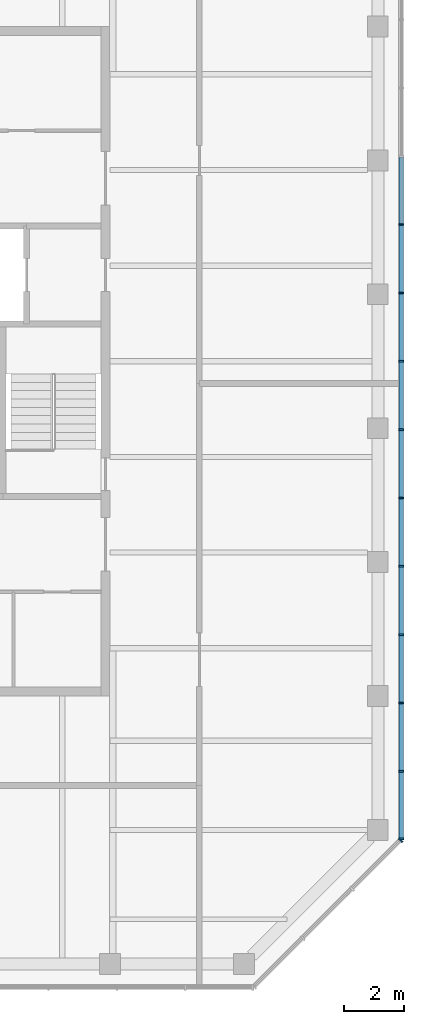
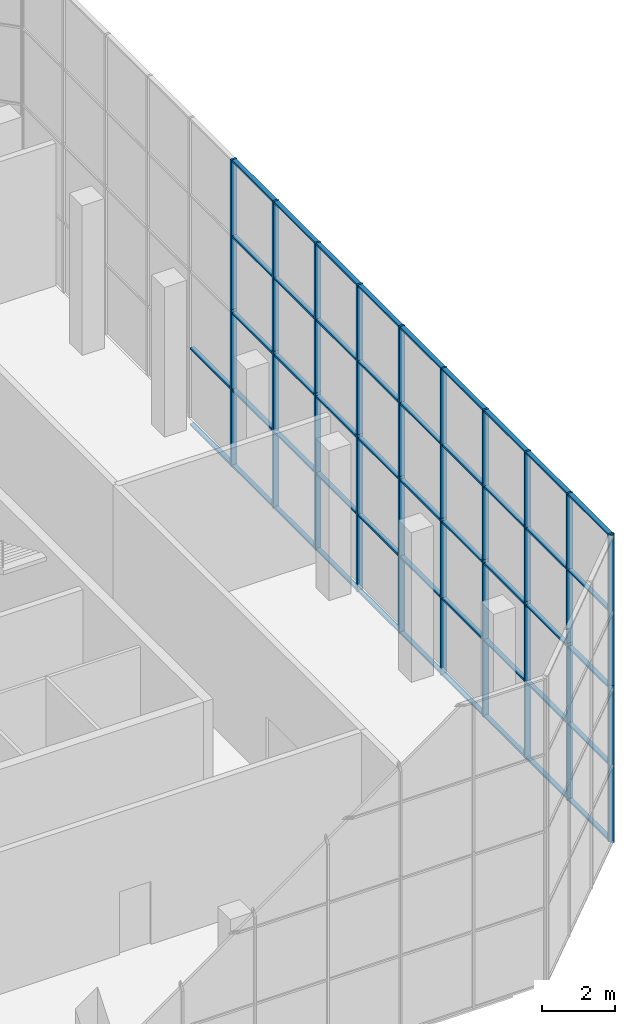
# One storey, part 10 of 19: 69 members, 2 elements without a shape of their own.
"""IFC4 building model written with IfcOpenShell, lengths in metres."""

from ifc_helpers import new_model, si_unit, direction, frame, origin, origin_2d, place, context, subcontext, project, spatial, rectangle, extrude, material, constituent, constituent_set, material_profile, profile_set, type_object, element, aggregate, save


model = new_model("IFC4")

# Units and contexts
model_context = context("Model", 3, precision=1e-05, world=origin(), true_north=direction((0.0, 1.0)))
body_context = subcontext(model_context, "Body", "Model", "MODEL_VIEW")
ifc_project = project(units=[si_unit("LENGTHUNIT", "METRE"), si_unit("AREAUNIT", "SQUARE_METRE"), si_unit("VOLUMEUNIT", "CUBIC_METRE"), si_unit("PLANEANGLEUNIT", "RADIAN"), si_unit("MASSUNIT", "GRAM", prefix="KILO")], contexts=[model_context])

# Site, building, storey
site_placement = place(None, origin())
site = spatial("IfcSite", under=ifc_project, at=site_placement, CompositionType="ELEMENT")
building_placement = place(site_placement, origin())
building = spatial("IfcBuilding", under=site, at=building_placement, Name="Quoin Convention Tower", CompositionType="ELEMENT")
storey_placement = place(building_placement, frame((0.0, 0.0, 263.699951171875)))
storey = spatial("IfcBuildingStorey", under=building, at=storey_placement, Name="L69", CompositionType="ELEMENT", Elevation=263.699951171875)

# Curtain wall, members
ifc_material_1 = material(Name="Aluminium", Category="aluminium")
ifc_constituent_1 = constituent(ifc_material_1, Name="Frame")
ifc_material_2 = material(Name="Insulated glass", Category="glass")
ifc_constituent_2 = constituent(ifc_material_2, Name="Glazing")
ifc_constituent_set = constituent_set(constituents=[ifc_constituent_1, ifc_constituent_2], Name="Aluminium")
curtain_wall_type = type_object("IfcCurtainWallType", Name="Lantern wall system", PredefinedType="NOTDEFINED", material=ifc_constituent_set)
curtain_wall_1_placement = place(storey_placement, origin())
curtain_wall_1 = element("IfcCurtainWall", 1, at=curtain_wall_1_placement, inside=storey, type_object=curtain_wall_type, Name="crn-LNW-72000_40500", PredefinedType="NOTDEFINED")
ifc_material_profile_1 = material_profile(ifc_material_1, rectangle(XDim=0.179931640625, YDim=0.06005859375, at=origin_2d()), Name="Lantern wall mullion 60x180")
ifc_profile_set_1 = profile_set([ifc_material_profile_1], Name="Aluminium")
member_type_1 = type_object("IfcMemberType", Name="Lantern wall mullion 60x180", PredefinedType="MULLION", material=ifc_profile_set_1)
member_1_placement = place(storey_placement, frame((77.268798828125, 44.651611328125, -0.25), z_axis=(0.0, 0.0, 1.0), x_axis=(-0.707106781187, 0.707106781187, 0.0)))
member_1 = element("IfcMember", 2, at=member_1_placement, type_object=member_type_1, Name="CW5 mullion 4", PredefinedType="MULLION", context=body_context, shape_type="SweptSolid", body=[
    extrude(rectangle(XDim=0.179931640625, YDim=0.06005859375, at=origin_2d()), origin(), (0.0, 0.0, 1.0), 5.25),
])
member_2_placement = place(storey_placement, frame((77.268798828125, 44.651611328125, 5.0), z_axis=(0.0, 0.0, 1.0), x_axis=(-0.707106781187, 0.707106781187, 0.0)))
member_2 = element("IfcMember", 3, at=member_2_placement, type_object=member_type_1, Name="CW5 mullion 4", PredefinedType="MULLION", context=body_context, shape_type="SweptSolid", body=[
    extrude(rectangle(XDim=0.179931640625, YDim=0.06005859375, at=origin_2d()), origin(), (0.0, 0.0, 1.0), 5.0),
])
aggregate(curtain_wall_1, [member_1, member_2])

curtain_wall_2_placement = place(storey_placement, origin())
curtain_wall_2 = element("IfcCurtainWall", 4, at=curtain_wall_2_placement, inside=storey, type_object=curtain_wall_type, Name="crn-LNW-76500_45000", PredefinedType="NOTDEFINED")
member_3_placement = place(storey_placement, frame((77.2900390625, 44.702880859375, -0.25), z_axis=(0.0, 0.0, 1.0), x_axis=(-1.0, 0.0, 0.0)))
member_3 = element("IfcMember", 5, at=member_3_placement, type_object=member_type_1, Name="CW5 mullion 1", PredefinedType="MULLION", context=body_context, shape_type="SweptSolid", body=[
    extrude(rectangle(XDim=0.179931640625, YDim=0.06005859375, at=origin_2d()), origin(), (0.0, 0.0, 1.0), 5.25),
])
member_4_placement = place(storey_placement, frame((77.2900390625, 46.969482421875, -0.25), z_axis=(0.0, 0.0, 1.0), x_axis=(-1.0, 0.0, 0.0)))
member_4 = element("IfcMember", 6, at=member_4_placement, type_object=member_type_1, Name="CW5 mullion 2", PredefinedType="MULLION", context=body_context, shape_type="SweptSolid", body=[
    extrude(rectangle(XDim=0.179931640625, YDim=0.06005859375, at=origin_2d()), origin(), (0.0, 0.0, 1.0), 5.25),
])
member_5_placement = place(storey_placement, frame((77.2900390625, 49.266357421875, -0.25), z_axis=(0.0, 0.0, 1.0), x_axis=(-1.0, 0.0, 0.0)))
member_5 = element("IfcMember", 7, at=member_5_placement, type_object=member_type_1, Name="CW5 mullion 3", PredefinedType="MULLION", context=body_context, shape_type="SweptSolid", body=[
    extrude(rectangle(XDim=0.179931640625, YDim=0.06005859375, at=origin_2d()), origin(), (0.0, 0.0, 1.0), 5.25),
])
member_6_placement = place(storey_placement, frame((77.2900390625, 51.56298828125, -0.25), z_axis=(0.0, 0.0, 1.0), x_axis=(-1.0, 0.0, 0.0)))
member_6 = element("IfcMember", 8, at=member_6_placement, type_object=member_type_1, Name="CW5 mullion 4", PredefinedType="MULLION", context=body_context, shape_type="SweptSolid", body=[
    extrude(rectangle(XDim=0.179931640625, YDim=0.06005859375, at=origin_2d()), origin(), (0.0, 0.0, 1.0), 5.25),
])
member_7_placement = place(storey_placement, frame((77.2900390625, 53.85986328125, -0.25), z_axis=(0.0, 0.0, 1.0), x_axis=(-1.0, 0.0, 0.0)))
member_7 = element("IfcMember", 9, at=member_7_placement, type_object=member_type_1, Name="CW5 mullion 5", PredefinedType="MULLION", context=body_context, shape_type="SweptSolid", body=[
    extrude(rectangle(XDim=0.179931640625, YDim=0.06005859375, at=origin_2d()), origin(), (0.0, 0.0, 1.0), 5.25),
])
member_8_placement = place(storey_placement, frame((77.2900390625, 56.156494140625, -0.25), z_axis=(0.0, 0.0, 1.0), x_axis=(-1.0, 0.0, 0.0)))
member_8 = element("IfcMember", 10, at=member_8_placement, type_object=member_type_1, Name="CW5 mullion 6", PredefinedType="MULLION", context=body_context, shape_type="SweptSolid", body=[
    extrude(rectangle(XDim=0.179931640625, YDim=0.06005859375, at=origin_2d()), origin(), (0.0, 0.0, 1.0), 5.25),
])
member_9_placement = place(storey_placement, frame((77.2900390625, 58.453369140625, -0.25), z_axis=(0.0, 0.0, 1.0), x_axis=(-1.0, 0.0, 0.0)))
member_9 = element("IfcMember", 11, at=member_9_placement, type_object=member_type_1, Name="CW5 mullion 7", PredefinedType="MULLION", context=body_context, shape_type="SweptSolid", body=[
    extrude(rectangle(XDim=0.179931640625, YDim=0.06005859375, at=origin_2d()), origin(), (0.0, 0.0, 1.0), 5.25),
])
member_10_placement = place(storey_placement, frame((77.2900390625, 60.75, -0.25), z_axis=(0.0, 0.0, 1.0), x_axis=(-1.0, 0.0, 0.0)))
member_10 = element("IfcMember", 12, at=member_10_placement, type_object=member_type_1, Name="CW5 mullion 8", PredefinedType="MULLION", context=body_context, shape_type="SweptSolid", body=[
    extrude(rectangle(XDim=0.179931640625, YDim=0.06005859375, at=origin_2d()), origin(), (0.0, 0.0, 1.0), 5.25),
])
member_11_placement = place(storey_placement, frame((77.2900390625, 63.046630859375, -0.25), z_axis=(0.0, 0.0, 1.0), x_axis=(-1.0, 0.0, 0.0)))
member_11 = element("IfcMember", 13, at=member_11_placement, type_object=member_type_1, Name="CW5 mullion 9", PredefinedType="MULLION", context=body_context, shape_type="SweptSolid", body=[
    extrude(rectangle(XDim=0.179931640625, YDim=0.06005859375, at=origin_2d()), origin(), (0.0, 0.0, 1.0), 5.25),
])
member_12_placement = place(storey_placement, frame((77.2900390625, 65.343505859375, -0.25), z_axis=(0.0, 0.0, 1.0), x_axis=(-1.0, 0.0, 0.0)))
member_12 = element("IfcMember", 14, at=member_12_placement, type_object=member_type_1, Name="CW5 mullion 10", PredefinedType="MULLION", context=body_context, shape_type="SweptSolid", body=[
    extrude(rectangle(XDim=0.179931640625, YDim=0.06005859375, at=origin_2d()), origin(), (0.0, 0.0, 1.0), 5.25),
])
member_13_placement = place(storey_placement, frame((77.2900390625, 44.702880859375, 5.0), z_axis=(0.0, 0.0, 1.0), x_axis=(-1.0, 0.0, 0.0)))
member_13 = element("IfcMember", 15, at=member_13_placement, type_object=member_type_1, Name="CW5 mullion 1", PredefinedType="MULLION", context=body_context, shape_type="SweptSolid", body=[
    extrude(rectangle(XDim=0.179931640625, YDim=0.06005859375, at=origin_2d()), origin(), (0.0, 0.0, 1.0), 5.0),
])
member_14_placement = place(storey_placement, frame((77.2900390625, 46.969482421875, 5.0), z_axis=(0.0, 0.0, 1.0), x_axis=(-1.0, 0.0, 0.0)))
member_14 = element("IfcMember", 16, at=member_14_placement, type_object=member_type_1, Name="CW5 mullion 2", PredefinedType="MULLION", context=body_context, shape_type="SweptSolid", body=[
    extrude(rectangle(XDim=0.179931640625, YDim=0.06005859375, at=origin_2d()), origin(), (0.0, 0.0, 1.0), 5.0),
])
member_15_placement = place(storey_placement, frame((77.2900390625, 49.266357421875, 5.0), z_axis=(0.0, 0.0, 1.0), x_axis=(-1.0, 0.0, 0.0)))
member_15 = element("IfcMember", 17, at=member_15_placement, type_object=member_type_1, Name="CW5 mullion 3", PredefinedType="MULLION", context=body_context, shape_type="SweptSolid", body=[
    extrude(rectangle(XDim=0.179931640625, YDim=0.06005859375, at=origin_2d()), origin(), (0.0, 0.0, 1.0), 5.0),
])
member_16_placement = place(storey_placement, frame((77.2900390625, 51.56298828125, 5.0), z_axis=(0.0, 0.0, 1.0), x_axis=(-1.0, 0.0, 0.0)))
member_16 = element("IfcMember", 18, at=member_16_placement, type_object=member_type_1, Name="CW5 mullion 4", PredefinedType="MULLION", context=body_context, shape_type="SweptSolid", body=[
    extrude(rectangle(XDim=0.179931640625, YDim=0.06005859375, at=origin_2d()), origin(), (0.0, 0.0, 1.0), 5.0),
])
member_17_placement = place(storey_placement, frame((77.2900390625, 53.85986328125, 5.0), z_axis=(0.0, 0.0, 1.0), x_axis=(-1.0, 0.0, 0.0)))
member_17 = element("IfcMember", 19, at=member_17_placement, type_object=member_type_1, Name="CW5 mullion 5", PredefinedType="MULLION", context=body_context, shape_type="SweptSolid", body=[
    extrude(rectangle(XDim=0.179931640625, YDim=0.06005859375, at=origin_2d()), origin(), (0.0, 0.0, 1.0), 5.0),
])
member_18_placement = place(storey_placement, frame((77.2900390625, 56.156494140625, 5.0), z_axis=(0.0, 0.0, 1.0), x_axis=(-1.0, 0.0, 0.0)))
member_18 = element("IfcMember", 20, at=member_18_placement, type_object=member_type_1, Name="CW5 mullion 6", PredefinedType="MULLION", context=body_context, shape_type="SweptSolid", body=[
    extrude(rectangle(XDim=0.179931640625, YDim=0.06005859375, at=origin_2d()), origin(), (0.0, 0.0, 1.0), 5.0),
])
member_19_placement = place(storey_placement, frame((77.2900390625, 58.453369140625, 5.0), z_axis=(0.0, 0.0, 1.0), x_axis=(-1.0, 0.0, 0.0)))
member_19 = element("IfcMember", 21, at=member_19_placement, type_object=member_type_1, Name="CW5 mullion 7", PredefinedType="MULLION", context=body_context, shape_type="SweptSolid", body=[
    extrude(rectangle(XDim=0.179931640625, YDim=0.06005859375, at=origin_2d()), origin(), (0.0, 0.0, 1.0), 5.0),
])
member_20_placement = place(storey_placement, frame((77.2900390625, 60.75, 5.0), z_axis=(0.0, 0.0, 1.0), x_axis=(-1.0, 0.0, 0.0)))
member_20 = element("IfcMember", 22, at=member_20_placement, type_object=member_type_1, Name="CW5 mullion 8", PredefinedType="MULLION", context=body_context, shape_type="SweptSolid", body=[
    extrude(rectangle(XDim=0.179931640625, YDim=0.06005859375, at=origin_2d()), origin(), (0.0, 0.0, 1.0), 5.0),
])
member_21_placement = place(storey_placement, frame((77.2900390625, 63.046630859375, 5.0), z_axis=(0.0, 0.0, 1.0), x_axis=(-1.0, 0.0, 0.0)))
member_21 = element("IfcMember", 23, at=member_21_placement, type_object=member_type_1, Name="CW5 mullion 9", PredefinedType="MULLION", context=body_context, shape_type="SweptSolid", body=[
    extrude(rectangle(XDim=0.179931640625, YDim=0.06005859375, at=origin_2d()), origin(), (0.0, 0.0, 1.0), 5.0),
])
member_22_placement = place(storey_placement, frame((77.2900390625, 65.343505859375, 5.0), z_axis=(0.0, 0.0, 1.0), x_axis=(-1.0, 0.0, 0.0)))
member_22 = element("IfcMember", 24, at=member_22_placement, type_object=member_type_1, Name="CW5 mullion 10", PredefinedType="MULLION", context=body_context, shape_type="SweptSolid", body=[
    extrude(rectangle(XDim=0.179931640625, YDim=0.06005859375, at=origin_2d()), origin(), (0.0, 0.0, 1.0), 5.0),
])
ifc_material_profile_2 = material_profile(ifc_material_1, rectangle(XDim=0.139892578125, YDim=0.06005859375, at=origin_2d()), Name="Lantern wall transom 60x140")
ifc_profile_set_2 = profile_set([ifc_material_profile_2], Name="Aluminium")
member_type_2 = type_object("IfcMemberType", Name="Lantern wall transom 60x140", PredefinedType="USERDEFINED", material=ifc_profile_set_2)
member_23_placement = place(storey_placement, frame((77.2900390625, 44.73291015625, -0.219970703125), z_axis=(0.0, 1.0, 0.0), x_axis=(-1.0, 0.0, 0.0)))
member_23 = element("IfcMember", 25, at=member_23_placement, type_object=member_type_2, Name="CW5 transom 1.1", ObjectType="TRANSOM", PredefinedType="USERDEFINED", context=body_context, shape_type="SweptSolid", body=[
    extrude(rectangle(XDim=0.139892578125, YDim=0.06005859375, at=origin_2d()), origin(), (0.0, 0.0, 1.0), 2.20654296875),
])
member_24_placement = place(storey_placement, frame((77.2900390625, 44.73291015625, 2.3125), z_axis=(0.0, 1.0, 0.0), x_axis=(-1.0, 0.0, 0.0)))
member_24 = element("IfcMember", 26, at=member_24_placement, type_object=member_type_2, Name="CW5 transom 1.2", ObjectType="TRANSOM", PredefinedType="USERDEFINED", context=body_context, shape_type="SweptSolid", body=[
    extrude(rectangle(XDim=0.139892578125, YDim=0.06005859375, at=origin_2d()), origin(), (0.0, 0.0, 1.0), 2.20654296875),
])
member_25_placement = place(storey_placement, frame((77.2900390625, 44.73291015625, 4.875), z_axis=(0.0, 1.0, 0.0), x_axis=(-1.0, 0.0, 0.0)))
member_25 = element("IfcMember", 27, at=member_25_placement, type_object=member_type_2, Name="CW5 transom 1.3", ObjectType="TRANSOM", PredefinedType="USERDEFINED", context=body_context, shape_type="SweptSolid", body=[
    extrude(rectangle(XDim=0.139892578125, YDim=0.06005859375, at=origin_2d()), origin(), (0.0, 0.0, 1.0), 2.20654296875),
])
member_26_placement = place(storey_placement, frame((77.2900390625, 44.73291015625, 7.4375), z_axis=(0.0, 1.0, 0.0), x_axis=(-1.0, 0.0, 0.0)))
member_26 = element("IfcMember", 28, at=member_26_placement, type_object=member_type_2, Name="CW5 transom 1.4", ObjectType="TRANSOM", PredefinedType="USERDEFINED", context=body_context, shape_type="SweptSolid", body=[
    extrude(rectangle(XDim=0.139892578125, YDim=0.06005859375, at=origin_2d()), origin(), (0.0, 0.0, 1.0), 2.20654296875),
])
member_27_placement = place(storey_placement, frame((77.2900390625, 44.73291015625, 9.969970703125), z_axis=(0.0, 1.0, 0.0), x_axis=(-1.0, 0.0, 0.0)))
member_27 = element("IfcMember", 29, at=member_27_placement, type_object=member_type_2, Name="CW5 transom 1.5", ObjectType="TRANSOM", PredefinedType="USERDEFINED", context=body_context, shape_type="SweptSolid", body=[
    extrude(rectangle(XDim=0.139892578125, YDim=0.06005859375, at=origin_2d()), origin(), (0.0, 0.0, 1.0), 2.20654296875),
])
member_28_placement = place(storey_placement, frame((77.2900390625, 46.99951171875, -0.219970703125), z_axis=(0.0, 1.0, 0.0), x_axis=(-1.0, 0.0, 0.0)))
member_28 = element("IfcMember", 30, at=member_28_placement, type_object=member_type_2, Name="CW5 transom 2.1", ObjectType="TRANSOM", PredefinedType="USERDEFINED", context=body_context, shape_type="SweptSolid", body=[
    extrude(rectangle(XDim=0.139892578125, YDim=0.06005859375, at=origin_2d()), origin(), (0.0, 0.0, 1.0), 2.23681640625),
])
member_29_placement = place(storey_placement, frame((77.2900390625, 46.99951171875, 2.3125), z_axis=(0.0, 1.0, 0.0), x_axis=(-1.0, 0.0, 0.0)))
member_29 = element("IfcMember", 31, at=member_29_placement, type_object=member_type_2, Name="CW5 transom 2.2", ObjectType="TRANSOM", PredefinedType="USERDEFINED", context=body_context, shape_type="SweptSolid", body=[
    extrude(rectangle(XDim=0.139892578125, YDim=0.06005859375, at=origin_2d()), origin(), (0.0, 0.0, 1.0), 2.23681640625),
])
member_30_placement = place(storey_placement, frame((77.2900390625, 46.99951171875, 4.875), z_axis=(0.0, 1.0, 0.0), x_axis=(-1.0, 0.0, 0.0)))
member_30 = element("IfcMember", 32, at=member_30_placement, type_object=member_type_2, Name="CW5 transom 2.3", ObjectType="TRANSOM", PredefinedType="USERDEFINED", context=body_context, shape_type="SweptSolid", body=[
    extrude(rectangle(XDim=0.139892578125, YDim=0.06005859375, at=origin_2d()), origin(), (0.0, 0.0, 1.0), 2.23681640625),
])
member_31_placement = place(storey_placement, frame((77.2900390625, 46.99951171875, 7.4375), z_axis=(0.0, 1.0, 0.0), x_axis=(-1.0, 0.0, 0.0)))
member_31 = element("IfcMember", 33, at=member_31_placement, type_object=member_type_2, Name="CW5 transom 2.4", ObjectType="TRANSOM", PredefinedType="USERDEFINED", context=body_context, shape_type="SweptSolid", body=[
    extrude(rectangle(XDim=0.139892578125, YDim=0.06005859375, at=origin_2d()), origin(), (0.0, 0.0, 1.0), 2.23681640625),
])
member_32_placement = place(storey_placement, frame((77.2900390625, 46.99951171875, 9.969970703125), z_axis=(0.0, 1.0, 0.0), x_axis=(-1.0, 0.0, 0.0)))
member_32 = element("IfcMember", 34, at=member_32_placement, type_object=member_type_2, Name="CW5 transom 2.5", ObjectType="TRANSOM", PredefinedType="USERDEFINED", context=body_context, shape_type="SweptSolid", body=[
    extrude(rectangle(XDim=0.139892578125, YDim=0.06005859375, at=origin_2d()), origin(), (0.0, 0.0, 1.0), 2.23681640625),
])
member_33_placement = place(storey_placement, frame((77.2900390625, 49.29638671875, -0.219970703125), z_axis=(0.0, 1.0, 0.0), x_axis=(-1.0, 0.0, 0.0)))
member_33 = element("IfcMember", 35, at=member_33_placement, type_object=member_type_2, Name="CW5 transom 3.1", ObjectType="TRANSOM", PredefinedType="USERDEFINED", context=body_context, shape_type="SweptSolid", body=[
    extrude(rectangle(XDim=0.139892578125, YDim=0.06005859375, at=origin_2d()), origin(), (0.0, 0.0, 1.0), 2.236572265625),
])
member_34_placement = place(storey_placement, frame((77.2900390625, 49.29638671875, 2.3125), z_axis=(0.0, 1.0, 0.0), x_axis=(-1.0, 0.0, 0.0)))
member_34 = element("IfcMember", 36, at=member_34_placement, type_object=member_type_2, Name="CW5 transom 3.2", ObjectType="TRANSOM", PredefinedType="USERDEFINED", context=body_context, shape_type="SweptSolid", body=[
    extrude(rectangle(XDim=0.139892578125, YDim=0.06005859375, at=origin_2d()), origin(), (0.0, 0.0, 1.0), 2.236572265625),
])
member_35_placement = place(storey_placement, frame((77.2900390625, 49.29638671875, 4.875), z_axis=(0.0, 1.0, 0.0), x_axis=(-1.0, 0.0, 0.0)))
member_35 = element("IfcMember", 37, at=member_35_placement, type_object=member_type_2, Name="CW5 transom 3.3", ObjectType="TRANSOM", PredefinedType="USERDEFINED", context=body_context, shape_type="SweptSolid", body=[
    extrude(rectangle(XDim=0.139892578125, YDim=0.06005859375, at=origin_2d()), origin(), (0.0, 0.0, 1.0), 2.236572265625),
])
member_36_placement = place(storey_placement, frame((77.2900390625, 49.29638671875, 7.4375), z_axis=(0.0, 1.0, 0.0), x_axis=(-1.0, 0.0, 0.0)))
member_36 = element("IfcMember", 38, at=member_36_placement, type_object=member_type_2, Name="CW5 transom 3.4", ObjectType="TRANSOM", PredefinedType="USERDEFINED", context=body_context, shape_type="SweptSolid", body=[
    extrude(rectangle(XDim=0.139892578125, YDim=0.06005859375, at=origin_2d()), origin(), (0.0, 0.0, 1.0), 2.236572265625),
])
member_37_placement = place(storey_placement, frame((77.2900390625, 49.29638671875, 9.969970703125), z_axis=(0.0, 1.0, 0.0), x_axis=(-1.0, 0.0, 0.0)))
member_37 = element("IfcMember", 39, at=member_37_placement, type_object=member_type_2, Name="CW5 transom 3.5", ObjectType="TRANSOM", PredefinedType="USERDEFINED", context=body_context, shape_type="SweptSolid", body=[
    extrude(rectangle(XDim=0.139892578125, YDim=0.06005859375, at=origin_2d()), origin(), (0.0, 0.0, 1.0), 2.236572265625),
])
member_38_placement = place(storey_placement, frame((77.2900390625, 51.593017578125, -0.219970703125), z_axis=(0.0, 1.0, 0.0), x_axis=(-1.0, 0.0, 0.0)))
member_38 = element("IfcMember", 40, at=member_38_placement, type_object=member_type_2, Name="CW5 transom 4.1", ObjectType="TRANSOM", PredefinedType="USERDEFINED", context=body_context, shape_type="SweptSolid", body=[
    extrude(rectangle(XDim=0.139892578125, YDim=0.06005859375, at=origin_2d()), origin(), (0.0, 0.0, 1.0), 2.23681640625),
])
member_39_placement = place(storey_placement, frame((77.2900390625, 51.593017578125, 2.3125), z_axis=(0.0, 1.0, 0.0), x_axis=(-1.0, 0.0, 0.0)))
member_39 = element("IfcMember", 41, at=member_39_placement, type_object=member_type_2, Name="CW5 transom 4.2", ObjectType="TRANSOM", PredefinedType="USERDEFINED", context=body_context, shape_type="SweptSolid", body=[
    extrude(rectangle(XDim=0.139892578125, YDim=0.06005859375, at=origin_2d()), origin(), (0.0, 0.0, 1.0), 2.23681640625),
])
member_40_placement = place(storey_placement, frame((77.2900390625, 51.593017578125, 4.875), z_axis=(0.0, 1.0, 0.0), x_axis=(-1.0, 0.0, 0.0)))
member_40 = element("IfcMember", 42, at=member_40_placement, type_object=member_type_2, Name="CW5 transom 4.3", ObjectType="TRANSOM", PredefinedType="USERDEFINED", context=body_context, shape_type="SweptSolid", body=[
    extrude(rectangle(XDim=0.139892578125, YDim=0.06005859375, at=origin_2d()), origin(), (0.0, 0.0, 1.0), 2.23681640625),
])
member_41_placement = place(storey_placement, frame((77.2900390625, 51.593017578125, 7.4375), z_axis=(0.0, 1.0, 0.0), x_axis=(-1.0, 0.0, 0.0)))
member_41 = element("IfcMember", 43, at=member_41_placement, type_object=member_type_2, Name="CW5 transom 4.4", ObjectType="TRANSOM", PredefinedType="USERDEFINED", context=body_context, shape_type="SweptSolid", body=[
    extrude(rectangle(XDim=0.139892578125, YDim=0.06005859375, at=origin_2d()), origin(), (0.0, 0.0, 1.0), 2.23681640625),
])
member_42_placement = place(storey_placement, frame((77.2900390625, 51.593017578125, 9.969970703125), z_axis=(0.0, 1.0, 0.0), x_axis=(-1.0, 0.0, 0.0)))
member_42 = element("IfcMember", 44, at=member_42_placement, type_object=member_type_2, Name="CW5 transom 4.5", ObjectType="TRANSOM", PredefinedType="USERDEFINED", context=body_context, shape_type="SweptSolid", body=[
    extrude(rectangle(XDim=0.139892578125, YDim=0.06005859375, at=origin_2d()), origin(), (0.0, 0.0, 1.0), 2.23681640625),
])
member_43_placement = place(storey_placement, frame((77.2900390625, 53.889892578125, -0.219970703125), z_axis=(0.0, 1.0, 0.0), x_axis=(-1.0, 0.0, 0.0)))
member_43 = element("IfcMember", 45, at=member_43_placement, type_object=member_type_2, Name="CW5 transom 5.1", ObjectType="TRANSOM", PredefinedType="USERDEFINED", context=body_context, shape_type="SweptSolid", body=[
    extrude(rectangle(XDim=0.139892578125, YDim=0.06005859375, at=origin_2d()), origin(), (0.0, 0.0, 1.0), 2.236572265625),
])
member_44_placement = place(storey_placement, frame((77.2900390625, 53.889892578125, 2.3125), z_axis=(0.0, 1.0, 0.0), x_axis=(-1.0, 0.0, 0.0)))
member_44 = element("IfcMember", 46, at=member_44_placement, type_object=member_type_2, Name="CW5 transom 5.2", ObjectType="TRANSOM", PredefinedType="USERDEFINED", context=body_context, shape_type="SweptSolid", body=[
    extrude(rectangle(XDim=0.139892578125, YDim=0.06005859375, at=origin_2d()), origin(), (0.0, 0.0, 1.0), 2.236572265625),
])
member_45_placement = place(storey_placement, frame((77.2900390625, 53.889892578125, 4.875), z_axis=(0.0, 1.0, 0.0), x_axis=(-1.0, 0.0, 0.0)))
member_45 = element("IfcMember", 47, at=member_45_placement, type_object=member_type_2, Name="CW5 transom 5.3", ObjectType="TRANSOM", PredefinedType="USERDEFINED", context=body_context, shape_type="SweptSolid", body=[
    extrude(rectangle(XDim=0.139892578125, YDim=0.06005859375, at=origin_2d()), origin(), (0.0, 0.0, 1.0), 2.236572265625),
])
member_46_placement = place(storey_placement, frame((77.2900390625, 53.889892578125, 7.4375), z_axis=(0.0, 1.0, 0.0), x_axis=(-1.0, 0.0, 0.0)))
member_46 = element("IfcMember", 48, at=member_46_placement, type_object=member_type_2, Name="CW5 transom 5.4", ObjectType="TRANSOM", PredefinedType="USERDEFINED", context=body_context, shape_type="SweptSolid", body=[
    extrude(rectangle(XDim=0.139892578125, YDim=0.06005859375, at=origin_2d()), origin(), (0.0, 0.0, 1.0), 2.236572265625),
])
member_47_placement = place(storey_placement, frame((77.2900390625, 53.889892578125, 9.969970703125), z_axis=(0.0, 1.0, 0.0), x_axis=(-1.0, 0.0, 0.0)))
member_47 = element("IfcMember", 49, at=member_47_placement, type_object=member_type_2, Name="CW5 transom 5.5", ObjectType="TRANSOM", PredefinedType="USERDEFINED", context=body_context, shape_type="SweptSolid", body=[
    extrude(rectangle(XDim=0.139892578125, YDim=0.06005859375, at=origin_2d()), origin(), (0.0, 0.0, 1.0), 2.236572265625),
])
member_48_placement = place(storey_placement, frame((77.2900390625, 56.1865234375, -0.219970703125), z_axis=(0.0, 1.0, 0.0), x_axis=(-1.0, 0.0, 0.0)))
member_48 = element("IfcMember", 50, at=member_48_placement, type_object=member_type_2, Name="CW5 transom 6.1", ObjectType="TRANSOM", PredefinedType="USERDEFINED", context=body_context, shape_type="SweptSolid", body=[
    extrude(rectangle(XDim=0.139892578125, YDim=0.06005859375, at=origin_2d()), origin(), (0.0, 0.0, 1.0), 2.23681640625),
])
member_49_placement = place(storey_placement, frame((77.2900390625, 56.1865234375, 2.3125), z_axis=(0.0, 1.0, 0.0), x_axis=(-1.0, 0.0, 0.0)))
member_49 = element("IfcMember", 51, at=member_49_placement, type_object=member_type_2, Name="CW5 transom 6.2", ObjectType="TRANSOM", PredefinedType="USERDEFINED", context=body_context, shape_type="SweptSolid", body=[
    extrude(rectangle(XDim=0.139892578125, YDim=0.06005859375, at=origin_2d()), origin(), (0.0, 0.0, 1.0), 2.23681640625),
])
member_50_placement = place(storey_placement, frame((77.2900390625, 56.1865234375, 4.875), z_axis=(0.0, 1.0, 0.0), x_axis=(-1.0, 0.0, 0.0)))
member_50 = element("IfcMember", 52, at=member_50_placement, type_object=member_type_2, Name="CW5 transom 6.3", ObjectType="TRANSOM", PredefinedType="USERDEFINED", context=body_context, shape_type="SweptSolid", body=[
    extrude(rectangle(XDim=0.139892578125, YDim=0.06005859375, at=origin_2d()), origin(), (0.0, 0.0, 1.0), 2.23681640625),
])
member_51_placement = place(storey_placement, frame((77.2900390625, 56.1865234375, 7.4375), z_axis=(0.0, 1.0, 0.0), x_axis=(-1.0, 0.0, 0.0)))
member_51 = element("IfcMember", 53, at=member_51_placement, type_object=member_type_2, Name="CW5 transom 6.4", ObjectType="TRANSOM", PredefinedType="USERDEFINED", context=body_context, shape_type="SweptSolid", body=[
    extrude(rectangle(XDim=0.139892578125, YDim=0.06005859375, at=origin_2d()), origin(), (0.0, 0.0, 1.0), 2.23681640625),
])
member_52_placement = place(storey_placement, frame((77.2900390625, 56.1865234375, 9.969970703125), z_axis=(0.0, 1.0, 0.0), x_axis=(-1.0, 0.0, 0.0)))
member_52 = element("IfcMember", 54, at=member_52_placement, type_object=member_type_2, Name="CW5 transom 6.5", ObjectType="TRANSOM", PredefinedType="USERDEFINED", context=body_context, shape_type="SweptSolid", body=[
    extrude(rectangle(XDim=0.139892578125, YDim=0.06005859375, at=origin_2d()), origin(), (0.0, 0.0, 1.0), 2.23681640625),
])
member_53_placement = place(storey_placement, frame((77.2900390625, 58.483154296875, -0.219970703125), z_axis=(0.0, 1.0, 0.0), x_axis=(-1.0, 0.0, 0.0)))
member_53 = element("IfcMember", 55, at=member_53_placement, type_object=member_type_2, Name="CW5 transom 7.1", ObjectType="TRANSOM", PredefinedType="USERDEFINED", context=body_context, shape_type="SweptSolid", body=[
    extrude(rectangle(XDim=0.139892578125, YDim=0.06005859375, at=origin_2d()), origin(), (0.0, 0.0, 1.0), 2.23681640625),
])
member_54_placement = place(storey_placement, frame((77.2900390625, 58.483154296875, 2.3125), z_axis=(0.0, 1.0, 0.0), x_axis=(-1.0, 0.0, 0.0)))
member_54 = element("IfcMember", 56, at=member_54_placement, type_object=member_type_2, Name="CW5 transom 7.2", ObjectType="TRANSOM", PredefinedType="USERDEFINED", context=body_context, shape_type="SweptSolid", body=[
    extrude(rectangle(XDim=0.139892578125, YDim=0.06005859375, at=origin_2d()), origin(), (0.0, 0.0, 1.0), 2.23681640625),
])
member_55_placement = place(storey_placement, frame((77.2900390625, 58.483154296875, 4.875), z_axis=(0.0, 1.0, 0.0), x_axis=(-1.0, 0.0, 0.0)))
member_55 = element("IfcMember", 57, at=member_55_placement, type_object=member_type_2, Name="CW5 transom 7.3", ObjectType="TRANSOM", PredefinedType="USERDEFINED", context=body_context, shape_type="SweptSolid", body=[
    extrude(rectangle(XDim=0.139892578125, YDim=0.06005859375, at=origin_2d()), origin(), (0.0, 0.0, 1.0), 2.23681640625),
])
member_56_placement = place(storey_placement, frame((77.2900390625, 58.483154296875, 7.4375), z_axis=(0.0, 1.0, 0.0), x_axis=(-1.0, 0.0, 0.0)))
member_56 = element("IfcMember", 58, at=member_56_placement, type_object=member_type_2, Name="CW5 transom 7.4", ObjectType="TRANSOM", PredefinedType="USERDEFINED", context=body_context, shape_type="SweptSolid", body=[
    extrude(rectangle(XDim=0.139892578125, YDim=0.06005859375, at=origin_2d()), origin(), (0.0, 0.0, 1.0), 2.23681640625),
])
member_57_placement = place(storey_placement, frame((77.2900390625, 58.483154296875, 9.969970703125), z_axis=(0.0, 1.0, 0.0), x_axis=(-1.0, 0.0, 0.0)))
member_57 = element("IfcMember", 59, at=member_57_placement, type_object=member_type_2, Name="CW5 transom 7.5", ObjectType="TRANSOM", PredefinedType="USERDEFINED", context=body_context, shape_type="SweptSolid", body=[
    extrude(rectangle(XDim=0.139892578125, YDim=0.06005859375, at=origin_2d()), origin(), (0.0, 0.0, 1.0), 2.23681640625),
])
member_58_placement = place(storey_placement, frame((77.2900390625, 60.780029296875, -0.219970703125), z_axis=(0.0, 1.0, 0.0), x_axis=(-1.0, 0.0, 0.0)))
member_58 = element("IfcMember", 60, at=member_58_placement, type_object=member_type_2, Name="CW5 transom 8.1", ObjectType="TRANSOM", PredefinedType="USERDEFINED", context=body_context, shape_type="SweptSolid", body=[
    extrude(rectangle(XDim=0.139892578125, YDim=0.06005859375, at=origin_2d()), origin(), (0.0, 0.0, 1.0), 2.23681640625),
])
member_59_placement = place(storey_placement, frame((77.2900390625, 60.780029296875, 2.3125), z_axis=(0.0, 1.0, 0.0), x_axis=(-1.0, 0.0, 0.0)))
member_59 = element("IfcMember", 61, at=member_59_placement, type_object=member_type_2, Name="CW5 transom 8.2", ObjectType="TRANSOM", PredefinedType="USERDEFINED", context=body_context, shape_type="SweptSolid", body=[
    extrude(rectangle(XDim=0.139892578125, YDim=0.06005859375, at=origin_2d()), origin(), (0.0, 0.0, 1.0), 2.23681640625),
])
member_60_placement = place(storey_placement, frame((77.2900390625, 60.780029296875, 4.875), z_axis=(0.0, 1.0, 0.0), x_axis=(-1.0, 0.0, 0.0)))
member_60 = element("IfcMember", 62, at=member_60_placement, type_object=member_type_2, Name="CW5 transom 8.3", ObjectType="TRANSOM", PredefinedType="USERDEFINED", context=body_context, shape_type="SweptSolid", body=[
    extrude(rectangle(XDim=0.139892578125, YDim=0.06005859375, at=origin_2d()), origin(), (0.0, 0.0, 1.0), 2.23681640625),
])
member_61_placement = place(storey_placement, frame((77.2900390625, 60.780029296875, 7.4375), z_axis=(0.0, 1.0, 0.0), x_axis=(-1.0, 0.0, 0.0)))
member_61 = element("IfcMember", 63, at=member_61_placement, type_object=member_type_2, Name="CW5 transom 8.4", ObjectType="TRANSOM", PredefinedType="USERDEFINED", context=body_context, shape_type="SweptSolid", body=[
    extrude(rectangle(XDim=0.139892578125, YDim=0.06005859375, at=origin_2d()), origin(), (0.0, 0.0, 1.0), 2.23681640625),
])
member_62_placement = place(storey_placement, frame((77.2900390625, 60.780029296875, 9.969970703125), z_axis=(0.0, 1.0, 0.0), x_axis=(-1.0, 0.0, 0.0)))
member_62 = element("IfcMember", 64, at=member_62_placement, type_object=member_type_2, Name="CW5 transom 8.5", ObjectType="TRANSOM", PredefinedType="USERDEFINED", context=body_context, shape_type="SweptSolid", body=[
    extrude(rectangle(XDim=0.139892578125, YDim=0.06005859375, at=origin_2d()), origin(), (0.0, 0.0, 1.0), 2.23681640625),
])
member_63_placement = place(storey_placement, frame((77.2900390625, 63.07666015625, -0.219970703125), z_axis=(0.0, 1.0, 0.0), x_axis=(-1.0, 0.0, 0.0)))
member_63 = element("IfcMember", 65, at=member_63_placement, type_object=member_type_2, Name="CW5 transom 9.1", ObjectType="TRANSOM", PredefinedType="USERDEFINED", context=body_context, shape_type="SweptSolid", body=[
    extrude(rectangle(XDim=0.139892578125, YDim=0.06005859375, at=origin_2d()), origin(), (0.0, 0.0, 1.0), 2.23681640625),
])
member_64_placement = place(storey_placement, frame((77.2900390625, 63.07666015625, 2.3125), z_axis=(0.0, 1.0, 0.0), x_axis=(-1.0, 0.0, 0.0)))
member_64 = element("IfcMember", 66, at=member_64_placement, type_object=member_type_2, Name="CW5 transom 9.2", ObjectType="TRANSOM", PredefinedType="USERDEFINED", context=body_context, shape_type="SweptSolid", body=[
    extrude(rectangle(XDim=0.139892578125, YDim=0.06005859375, at=origin_2d()), origin(), (0.0, 0.0, 1.0), 2.23681640625),
])
member_65_placement = place(storey_placement, frame((77.2900390625, 63.07666015625, 4.875), z_axis=(0.0, 1.0, 0.0), x_axis=(-1.0, 0.0, 0.0)))
member_65 = element("IfcMember", 67, at=member_65_placement, type_object=member_type_2, Name="CW5 transom 9.3", ObjectType="TRANSOM", PredefinedType="USERDEFINED", context=body_context, shape_type="SweptSolid", body=[
    extrude(rectangle(XDim=0.139892578125, YDim=0.06005859375, at=origin_2d()), origin(), (0.0, 0.0, 1.0), 2.23681640625),
])
member_66_placement = place(storey_placement, frame((77.2900390625, 63.07666015625, 7.4375), z_axis=(0.0, 1.0, 0.0), x_axis=(-1.0, 0.0, 0.0)))
member_66 = element("IfcMember", 68, at=member_66_placement, type_object=member_type_2, Name="CW5 transom 9.4", ObjectType="TRANSOM", PredefinedType="USERDEFINED", context=body_context, shape_type="SweptSolid", body=[
    extrude(rectangle(XDim=0.139892578125, YDim=0.06005859375, at=origin_2d()), origin(), (0.0, 0.0, 1.0), 2.23681640625),
])
member_67_placement = place(storey_placement, frame((77.2900390625, 63.07666015625, 9.969970703125), z_axis=(0.0, 1.0, 0.0), x_axis=(-1.0, 0.0, 0.0)))
member_67 = element("IfcMember", 69, at=member_67_placement, type_object=member_type_2, Name="CW5 transom 9.5", ObjectType="TRANSOM", PredefinedType="USERDEFINED", context=body_context, shape_type="SweptSolid", body=[
    extrude(rectangle(XDim=0.139892578125, YDim=0.06005859375, at=origin_2d()), origin(), (0.0, 0.0, 1.0), 2.23681640625),
])
member_68_placement = place(storey_placement, frame((77.2900390625, 65.37353515625, -0.219970703125), z_axis=(0.0, 1.0, 0.0), x_axis=(-1.0, 0.0, 0.0)))
member_68 = element("IfcMember", 70, at=member_68_placement, type_object=member_type_2, Name="CW5 transom 10.1", ObjectType="TRANSOM", PredefinedType="USERDEFINED", context=body_context, shape_type="SweptSolid", body=[
    extrude(rectangle(XDim=0.139892578125, YDim=0.06005859375, at=origin_2d()), origin(), (0.0, 0.0, 1.0), 2.236572265625),
])
member_69_placement = place(storey_placement, frame((77.2900390625, 65.37353515625, 2.3125), z_axis=(0.0, 1.0, 0.0), x_axis=(-1.0, 0.0, 0.0)))
member_69 = element("IfcMember", 71, at=member_69_placement, type_object=member_type_2, Name="CW5 transom 10.2", ObjectType="TRANSOM", PredefinedType="USERDEFINED", context=body_context, shape_type="SweptSolid", body=[
    extrude(rectangle(XDim=0.139892578125, YDim=0.06005859375, at=origin_2d()), origin(), (0.0, 0.0, 1.0), 2.236572265625),
])
aggregate(curtain_wall_2, [member_3, member_4, member_5, member_6, member_7, member_8, member_9, member_10, member_11, member_12, member_23, member_24, member_25, member_26, member_27, member_28, member_29, member_30, member_31, member_32, member_33, member_34, member_35, member_36, member_37, member_38, member_39, member_40, member_41, member_42, member_43, member_44, member_45, member_46, member_47, member_48, member_49, member_50, member_51, member_52, member_53, member_54, member_55, member_56, member_57, member_58, member_59, member_60, member_61, member_62, member_63, member_64, member_65, member_66, member_67, member_68, member_69, member_13, member_14, member_15, member_16, member_17, member_18, member_19, member_20, member_21, member_22])

save(model, "model.ifc")
